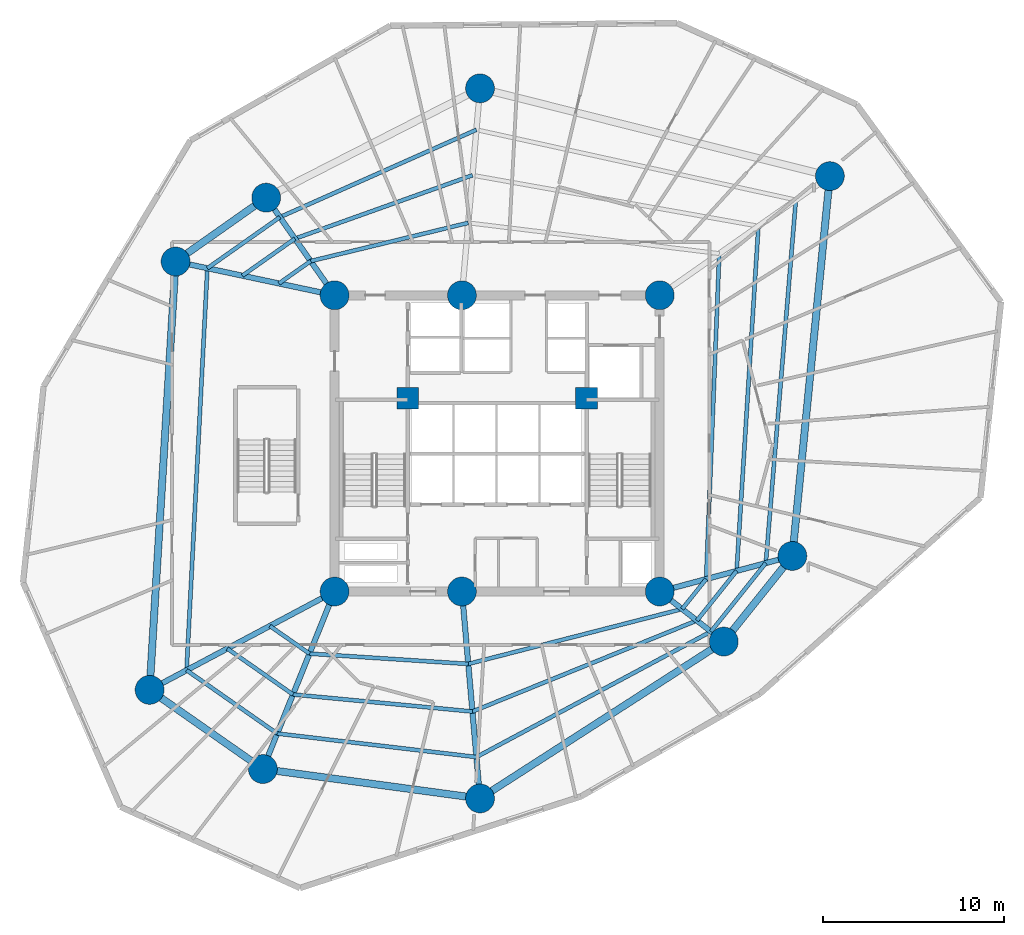
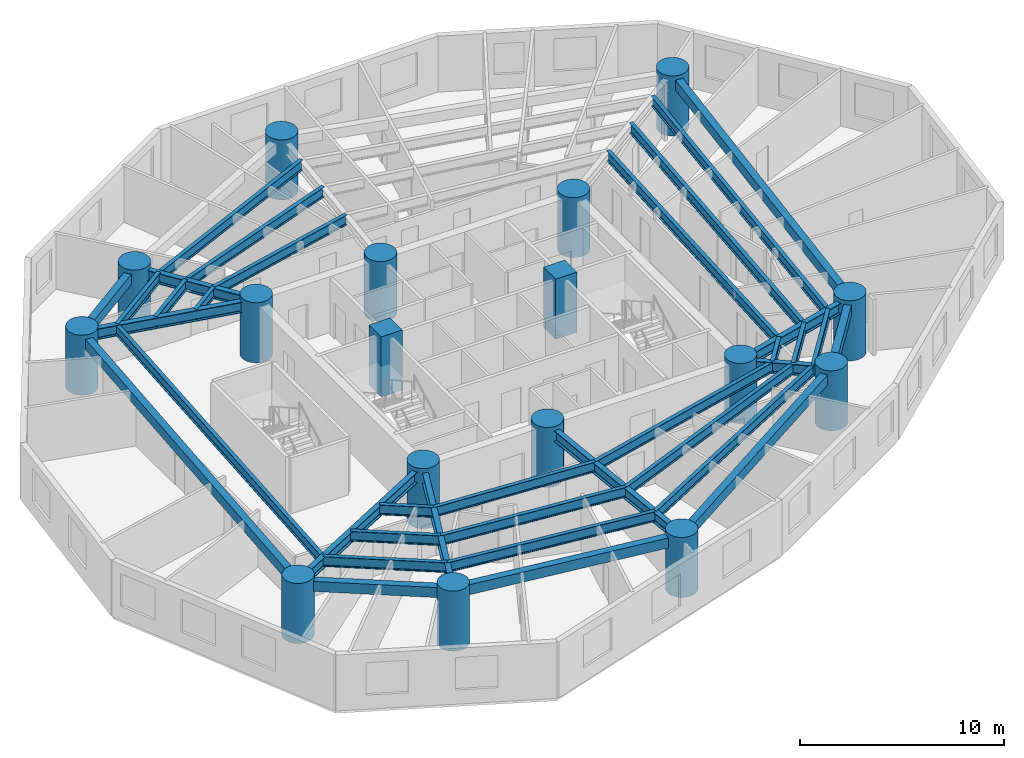
# One storey, part 1 of 8: 36 beams, 17 columns.
"""IFC4 building model written with IfcOpenShell, lengths in metres."""

from ifc_helpers import new_model, si_unit, direction, frame, origin, origin_with_axes, origin_2d, place, context, subcontext, project, spatial, rectangle, circle, i_section, extrude, source, transform, mapped, material, material_profile, profile_set, type_object, element, save


model = new_model("IFC4")

# Units and contexts
model_context = context("Model", 3, precision=1e-05, world=origin(), true_north=direction((0.0, 1.0)))
body_context = subcontext(model_context, "Body", "Model", "MODEL_VIEW")
ifc_project = project(units=[si_unit("LENGTHUNIT", "METRE"), si_unit("AREAUNIT", "SQUARE_METRE"), si_unit("VOLUMEUNIT", "CUBIC_METRE"), si_unit("PLANEANGLEUNIT", "RADIAN"), si_unit("MASSUNIT", "GRAM", prefix="KILO")], contexts=[model_context])

# Site, building, storey
site_placement = place(None, origin())
site = spatial("IfcSite", under=ifc_project, at=site_placement, CompositionType="ELEMENT")
building_placement = place(site_placement, origin())
building = spatial("IfcBuilding", under=site, at=building_placement, Name="Karkom Vertical University and Central Library", CompositionType="ELEMENT")
storey_placement = place(building_placement, frame((0.0, 0.0, 30.10009765625)))
storey = spatial("IfcBuildingStorey", under=building, at=storey_placement, Name="L07", CompositionType="ELEMENT", Elevation=30.10009765625)

# Columns
ifc_material_1 = material(Name="Concrete C50/60", Category="concrete")
ifc_material_profile_1 = material_profile(ifc_material_1, circle(Radius=0.800048828125, at=origin_2d()), Name="CFT-D1600")
ifc_profile_set_1 = profile_set([ifc_material_profile_1], Name="Concrete C50/60")
column_type_1 = type_object("IfcColumnType", Name="STR-COL-C-SC2", PredefinedType="COLUMN", material=ifc_profile_set_1)
shared_shape_1 = source(origin_with_axes(), body_context, "Body", "SweptSolid", [
    extrude(circle(Radius=0.800048828125, at=origin_2d()), origin(), (0.0, 0.0, 1.0), 3.599853515625),
])
for number, where, z_axis, x_axis, name in (
    (1, (19.5, 18.300048828125, 0.0), (0.0, 0.0, 1.0), (1.0, 0.0, 0.0), "Level 07 Spine Mega-Column SC-1"),
    (2, (26.550048828125, 18.300048828125, 0.0), (0.0, 0.0, 1.0), (1.0, 0.0, 0.0), "Level 07 Spine Mega-Column SC-2"),
    (3, (37.5, 18.300048828125, 0.0), (0.0, 0.0, 1.0), (1.0, 0.0, 0.0), "Level 07 Spine Mega-Column SC-3"),
    (4, (19.5, 34.699951171875, 0.0), (0.0, 0.0, 1.0), (1.0, 0.0, 0.0), "Level 07 Spine Mega-Column SC-4"),
    (5, (26.550048828125, 34.699951171875, 0.0), (0.0, 0.0, 1.0), (1.0, 0.0, 0.0), "Level 07 Spine Mega-Column SC-5"),
    (6, (37.5, 34.699951171875, 0.0), (0.0, 0.0, 1.0), (1.0, 0.0, 0.0), "Level 07 Spine Mega-Column SC-6"),
    (7, (44.841064453125, 20.26708984375, 0.0), (0.0, 0.0, 1.0), (1.0, 0.0, 0.0), "Level 07 Perimeter Mega-Column Z1-PC1"),
    (8, (46.919921875, 41.2958984375, 0.0), (0.0, 0.0, 1.0), (1.0, 0.0, 0.0), "Level 07 Perimeter Mega-Column Z1-PC2"),
    (9, (27.552001953125, 46.156005859375, 0.0), (0.0, 0.0, 1.0), (1.0, 0.0, 0.0), "Level 07 Perimeter Mega-Column Z1-PC3"),
    (10, (15.714111328125, 40.10595703125, 0.0), (0.0, 0.0, 1.0), (1.0, 0.0, 0.0), "Level 07 Perimeter Mega-Column Z1-PC4"),
    (11, (10.697021484375, 36.571044921875, 0.0), (0.0, 0.0, 1.0), (1.0, 0.0, 0.0), "Level 07 Perimeter Mega-Column Z1-PC5"),
    (12, (9.258056640625, 12.85400390625, 0.0), (0.0, 0.0, 1.0), (1.0, 0.0, 0.0), "Level 07 Perimeter Mega-Column Z1-PC6"),
    (13, (15.529052734375, 8.471923828125, 0.0), (0.0, 0.0, 1.0), (1.0, 0.0, 0.0), "Level 07 Perimeter Mega-Column Z1-PC7"),
    (14, (27.552001953125, 6.843994140625, 0.0), (0.0, 0.0, 1.0), (1.0, 0.0, 0.0), "Level 07 Perimeter Mega-Column Z1-PC8"),
    (15, (41.0458984375, 15.530029296875, 0.0), (0.0, 0.0, 1.0), (1.0, 0.0, 0.0), "Level 07 Perimeter Mega-Column Z1-PC9"),
):
    element("IfcColumn", number, at=place(storey_placement, frame(where, z_axis=z_axis, x_axis=x_axis)), inside=storey, type_object=column_type_1, Name=name, PredefinedType="COLUMN", context=body_context, shape_type="MappedRepresentation", body=[
        mapped(shared_shape_1, transform((0.0, 0.0, 0.0), scale=1.0)),
    ])
ifc_material_profile_2 = material_profile(ifc_material_1, rectangle(XDim=1.199951171875, YDim=1.199951171875, at=origin_2d()), Name="RC-1200x1200")
ifc_profile_set_2 = profile_set([ifc_material_profile_2], Name="Concrete C50/60")
column_type_2 = type_object("IfcColumnType", Name="STR-COL-C-CC1", PredefinedType="COLUMN", material=ifc_profile_set_2)
shared_shape_2 = source(origin_with_axes(), body_context, "Body", "SweptSolid", [
    extrude(rectangle(XDim=1.199951171875, YDim=1.199951171875, at=origin_2d()), origin(), (0.0, 0.0, 1.0), 3.599853515625),
])
for number, where, z_axis, x_axis, name in (
    (16, (23.550048828125, 29.0, 0.0), (0.0, 0.0, 1.0), (1.0, 0.0, 0.0), "Level 07 Core Node Column CC-1"),
    (17, (33.449951171875, 29.0, 0.0), (0.0, 0.0, 1.0), (1.0, 0.0, 0.0), "Level 07 Core Node Column CC-2"),
):
    element("IfcColumn", number, at=place(storey_placement, frame(where, z_axis=z_axis, x_axis=x_axis)), inside=storey, type_object=column_type_2, Name=name, PredefinedType="COLUMN", context=body_context, shape_type="MappedRepresentation", body=[
        mapped(shared_shape_2, transform((0.0, 0.0, 0.0), scale=1.0)),
    ])

# Beams
ifc_material_2 = material(Name="Steel S355", Category="steel")
ifc_material_profile_3 = material_profile(ifc_material_2, i_section(OverallWidth=0.300048828125, OverallDepth=0.64990234375, WebThickness=0.01611328125, FlangeThickness=0.031005859375, FilletRadius=0.027099609375, at=origin_2d()), Name="HE 650 B")
ifc_profile_set_3 = profile_set([ifc_material_profile_3], Name="Steel S355")
beam_type_1 = type_object("IfcBeamType", Name="STR-BM-SB-HE650", PredefinedType="USERDEFINED", material=ifc_profile_set_3)
shared_shape_3 = source(origin_with_axes(), body_context, "Body", "SweptSolid", [
    extrude(i_section(OverallWidth=0.300048828125, OverallDepth=0.64990234375, WebThickness=0.01611328125, FlangeThickness=0.031005859375, FilletRadius=0.027099609375, at=origin_2d()), origin(), (0.0, 0.0, 1.0), 7.60009765625),
])
beam_1_placement = place(storey_placement, frame((37.5, 18.300048828125, 3.02490234375), z_axis=(0.965925539322, 0.258820116077, 0.0), x_axis=(-0.258820116077, 0.965925539322, 0.0)))
element("IfcBeam", 18, at=beam_1_placement, inside=storey, type_object=beam_type_1, Name="Level 07 Radial Frame Girder 01", ObjectType="GIRDER", PredefinedType="USERDEFINED", context=body_context, shape_type="MappedRepresentation", body=[
    mapped(shared_shape_3, transform((0.0, 0.0, 0.0), scale=1.0)),
])
shared_shape_4 = source(origin_with_axes(), body_context, "Body", "SweptSolid", [
    extrude(i_section(OverallWidth=0.300048828125, OverallDepth=0.64990234375, WebThickness=0.01611328125, FlangeThickness=0.031005859375, FilletRadius=0.027099609375, at=origin_2d()), origin(), (0.0, 0.0, 1.0), 11.499755859375),
])
beam_2_placement = place(storey_placement, frame((26.550048828125, 18.300048828125, 3.02490234375), z_axis=(0.087127973109, -0.99619712723, 0.0), x_axis=(0.99619712723, 0.087127973109, 0.0)))
element("IfcBeam", 19, at=beam_2_placement, inside=storey, type_object=beam_type_1, Name="Level 07 Radial Frame Girder 08", ObjectType="GIRDER", PredefinedType="USERDEFINED", context=body_context, shape_type="MappedRepresentation", body=[
    mapped(shared_shape_4, transform((0.0, 0.0, 0.0), scale=1.0)),
])
shared_shape_5 = source(origin_with_axes(), body_context, "Body", "SweptSolid", [
    extrude(i_section(OverallWidth=0.300048828125, OverallDepth=0.64990234375, WebThickness=0.01611328125, FlangeThickness=0.031005859375, FilletRadius=0.027099609375, at=origin_2d()), origin(), (0.0, 0.0, 1.0), 6.599853515625),
])
beam_3_placement = place(storey_placement, frame((19.5, 34.699951171875, 3.02490234375), z_axis=(-0.573633636671, 0.819111989218, 0.0), x_axis=(-0.819111989218, -0.573633636671, 0.0)))
element("IfcBeam", 20, at=beam_3_placement, inside=storey, type_object=beam_type_1, Name="Level 07 Radial Frame Girder 04", ObjectType="GIRDER", PredefinedType="USERDEFINED", context=body_context, shape_type="MappedRepresentation", body=[
    mapped(shared_shape_5, transform((0.0, 0.0, 0.0), scale=1.0)),
])
shared_shape_6 = source(origin_with_axes(), body_context, "Body", "SweptSolid", [
    extrude(i_section(OverallWidth=0.300048828125, OverallDepth=0.64990234375, WebThickness=0.01611328125, FlangeThickness=0.031005859375, FilletRadius=0.027099609375, at=origin_2d()), origin(), (0.0, 0.0, 1.0), 8.999755859375),
])
beam_4_placement = place(storey_placement, frame((19.5, 34.699951171875, 3.02490234375), z_axis=(-0.978148438993, 0.207907747079, 0.0), x_axis=(-0.207907747079, -0.978148438993, 0.0)))
element("IfcBeam", 21, at=beam_4_placement, inside=storey, type_object=beam_type_1, Name="Level 07 Radial Frame Girder 05", ObjectType="GIRDER", PredefinedType="USERDEFINED", context=body_context, shape_type="MappedRepresentation", body=[
    mapped(shared_shape_6, transform((0.0, 0.0, 0.0), scale=1.0)),
])
shared_shape_7 = source(origin_with_axes(), body_context, "Body", "SweptSolid", [
    extrude(i_section(OverallWidth=0.300048828125, OverallDepth=0.64990234375, WebThickness=0.01611328125, FlangeThickness=0.031005859375, FilletRadius=0.027099609375, at=origin_2d()), origin(), (0.0, 0.0, 1.0), 11.599853515625),
])
beam_5_placement = place(storey_placement, frame((19.5, 18.300048828125, 3.02490234375), z_axis=(-0.882936620635, -0.469492197957, 0.0), x_axis=(0.469492197957, -0.882936620635, 0.0)))
element("IfcBeam", 22, at=beam_5_placement, inside=storey, type_object=beam_type_1, Name="Level 07 Radial Frame Girder 06", ObjectType="GIRDER", PredefinedType="USERDEFINED", context=body_context, shape_type="MappedRepresentation", body=[
    mapped(shared_shape_7, transform((0.0, 0.0, 0.0), scale=1.0)),
])
shared_shape_8 = source(origin_with_axes(), body_context, "Body", "SweptSolid", [
    extrude(i_section(OverallWidth=0.300048828125, OverallDepth=0.64990234375, WebThickness=0.01611328125, FlangeThickness=0.031005859375, FilletRadius=0.027099609375, at=origin_2d()), origin(), (0.0, 0.0, 1.0), 10.60009765625),
])
beam_6_placement = place(storey_placement, frame((19.5, 18.300048828125, 3.02490234375), z_axis=(-0.374616894394, -0.927179692635, 0.0), x_axis=(0.927179692635, -0.374616894394, 0.0)))
element("IfcBeam", 23, at=beam_6_placement, inside=storey, type_object=beam_type_1, Name="Level 07 Radial Frame Girder 07", ObjectType="GIRDER", PredefinedType="USERDEFINED", context=body_context, shape_type="MappedRepresentation", body=[
    mapped(shared_shape_8, transform((0.0, 0.0, 0.0), scale=1.0)),
])
shared_shape_9 = source(origin_with_axes(), body_context, "Body", "SweptSolid", [
    extrude(i_section(OverallWidth=0.300048828125, OverallDepth=0.64990234375, WebThickness=0.01611328125, FlangeThickness=0.031005859375, FilletRadius=0.027099609375, at=origin_2d()), origin(), (0.0, 0.0, 1.0), 4.49951171875),
])
beam_7_placement = place(storey_placement, frame((37.5, 18.300048828125, 3.02490234375), z_axis=(0.788047405801, -0.615614559778, 0.0), x_axis=(0.615614559778, 0.788047405801, 0.0)))
element("IfcBeam", 24, at=beam_7_placement, inside=storey, type_object=beam_type_1, Name="Level 07 Radial Frame Girder 09", ObjectType="GIRDER", PredefinedType="USERDEFINED", context=body_context, shape_type="MappedRepresentation", body=[
    mapped(shared_shape_9, transform((0.0, 0.0, 0.0), scale=1.0)),
])
ifc_material_3 = material(Name="Precast concrete C45/55", Category="concrete")
ifc_material_profile_4 = material_profile(ifc_material_3, rectangle(XDim=0.39990234375, YDim=0.60009765625, at=origin_2d()), Name="SPB-400x600")
ifc_profile_set_4 = profile_set([ifc_material_profile_4], Name="Precast concrete C45/55")
beam_type_2 = type_object("IfcBeamType", Name="STR-BM-SP-1", PredefinedType="SPANDREL", material=ifc_profile_set_4)
shared_shape_10 = source(origin_with_axes(), body_context, "Body", "SweptSolid", [
    extrude(rectangle(XDim=0.39990234375, YDim=0.60009765625, at=origin_2d()), origin(), (0.0, 0.0, 1.0), 21.13134765625),
])
beam_8_placement = place(storey_placement, frame((44.841064453125, 20.26708984375, 3.0498046875), z_axis=(0.0983780471, 0.995149114379, 0.0), x_axis=(-0.995149114379, 0.0983780471, 0.0)))
element("IfcBeam", 25, at=beam_8_placement, inside=storey, type_object=beam_type_2, Name="Level 07 Perimeter Spandrel Beam 01", PredefinedType="SPANDREL", context=body_context, shape_type="MappedRepresentation", body=[
    mapped(shared_shape_10, transform((0.0, 0.0, 0.0), scale=1.0)),
])
shared_shape_11 = source(origin_with_axes(), body_context, "Body", "SweptSolid", [
    extrude(rectangle(XDim=0.39990234375, YDim=0.60009765625, at=origin_2d()), origin(), (0.0, 0.0, 1.0), 6.13720703125),
])
beam_9_placement = place(storey_placement, frame((15.714111328125, 40.10595703125, 3.0498046875), z_axis=(-0.817471365538, -0.575969240955, 0.0), x_axis=(0.575969240955, -0.817471365538, 0.0)))
element("IfcBeam", 26, at=beam_9_placement, inside=storey, type_object=beam_type_2, Name="Level 07 Perimeter Spandrel Beam 04", PredefinedType="SPANDREL", context=body_context, shape_type="MappedRepresentation", body=[
    mapped(shared_shape_11, transform((0.0, 0.0, 0.0), scale=1.0)),
])
shared_shape_12 = source(origin_with_axes(), body_context, "Body", "SweptSolid", [
    extrude(rectangle(XDim=0.39990234375, YDim=0.60009765625, at=origin_2d()), origin(), (0.0, 0.0, 1.0), 23.7607421875),
])
beam_10_placement = place(storey_placement, frame((10.697021484375, 36.571044921875, 3.0498046875), z_axis=(-0.060560827767, -0.998164508556, 0.0), x_axis=(0.998164508556, -0.060560827767, 0.0)))
element("IfcBeam", 27, at=beam_10_placement, inside=storey, type_object=beam_type_2, Name="Level 07 Perimeter Spandrel Beam 05", PredefinedType="SPANDREL", context=body_context, shape_type="MappedRepresentation", body=[
    mapped(shared_shape_12, transform((0.0, 0.0, 0.0), scale=1.0)),
])
shared_shape_13 = source(origin_with_axes(), body_context, "Body", "SweptSolid", [
    extrude(rectangle(XDim=0.39990234375, YDim=0.60009765625, at=origin_2d()), origin(), (0.0, 0.0, 1.0), 7.650390625),
])
beam_11_placement = place(storey_placement, frame((9.258056640625, 12.85400390625, 3.0498046875), z_axis=(0.819699409527, -0.572793922822, 0.0), x_axis=(0.572793922822, 0.819699409527, 0.0)))
element("IfcBeam", 28, at=beam_11_placement, inside=storey, type_object=beam_type_2, Name="Level 07 Perimeter Spandrel Beam 06", PredefinedType="SPANDREL", context=body_context, shape_type="MappedRepresentation", body=[
    mapped(shared_shape_13, transform((0.0, 0.0, 0.0), scale=1.0)),
])
shared_shape_14 = source(origin_with_axes(), body_context, "Body", "SweptSolid", [
    extrude(rectangle(XDim=0.39990234375, YDim=0.60009765625, at=origin_2d()), origin(), (0.0, 0.0, 1.0), 12.132568359375),
])
beam_12_placement = place(storey_placement, frame((15.529052734375, 8.471923828125, 3.0498046875), z_axis=(0.990957319008, -0.134177464223, 0.0), x_axis=(0.134177464223, 0.990957319008, 0.0)))
element("IfcBeam", 29, at=beam_12_placement, inside=storey, type_object=beam_type_2, Name="Level 07 Perimeter Spandrel Beam 07", PredefinedType="SPANDREL", context=body_context, shape_type="MappedRepresentation", body=[
    mapped(shared_shape_14, transform((0.0, 0.0, 0.0), scale=1.0)),
])
shared_shape_15 = source(origin_with_axes(), body_context, "Body", "SweptSolid", [
    extrude(rectangle(XDim=0.39990234375, YDim=0.60009765625, at=origin_2d()), origin(), (0.0, 0.0, 1.0), 16.0478515625),
])
beam_13_placement = place(storey_placement, frame((27.552001953125, 6.843994140625, 3.0498046875), z_axis=(0.84085555045, 0.541259589548, 0.0), x_axis=(-0.541259589548, 0.84085555045, 0.0)))
element("IfcBeam", 30, at=beam_13_placement, inside=storey, type_object=beam_type_2, Name="Level 07 Perimeter Spandrel Beam 08", PredefinedType="SPANDREL", context=body_context, shape_type="MappedRepresentation", body=[
    mapped(shared_shape_15, transform((0.0, 0.0, 0.0), scale=1.0)),
])
shared_shape_16 = source(origin_with_axes(), body_context, "Body", "SweptSolid", [
    extrude(rectangle(XDim=0.39990234375, YDim=0.60009765625, at=origin_2d()), origin(), (0.0, 0.0, 1.0), 6.06982421875),
])
beam_14_placement = place(storey_placement, frame((41.0458984375, 15.530029296875, 3.0498046875), z_axis=(0.625249167344, 0.780425190992, 0.0), x_axis=(-0.780425190992, 0.625249167344, 0.0)))
element("IfcBeam", 31, at=beam_14_placement, inside=storey, type_object=beam_type_2, Name="Level 07 Perimeter Spandrel Beam 09", PredefinedType="SPANDREL", context=body_context, shape_type="MappedRepresentation", body=[
    mapped(shared_shape_16, transform((0.0, 0.0, 0.0), scale=1.0)),
])
ifc_material_profile_5 = material_profile(ifc_material_2, i_section(OverallWidth=0.219970703125, OverallDepth=0.60009765625, WebThickness=0.011962890625, FlangeThickness=0.01904296875, FilletRadius=0.02392578125, at=origin_2d()), Name="IPE 600")
ifc_profile_set_5 = profile_set([ifc_material_profile_5], Name="Steel S355")
beam_type_3 = type_object("IfcBeamType", Name="STR-BM-SB-IPE600", PredefinedType="BEAM", material=ifc_profile_set_5)
shared_shape_17 = source(origin_with_axes(), body_context, "Body", "SweptSolid", [
    extrude(i_section(OverallWidth=0.219970703125, OverallDepth=0.60009765625, WebThickness=0.011962890625, FlangeThickness=0.01904296875, FilletRadius=0.02392578125, at=origin_2d()), origin(), (0.0, 0.0, 1.0), 18.03466796875),
])
beam_15_placement = place(storey_placement, frame((40.0693359375, 18.988525390625, 3.0498046875), z_axis=(0.04035458262, 0.999185422062, 0.0), x_axis=(-0.999185422062, 0.04035458262, 0.0)))
element("IfcBeam", 32, at=beam_15_placement, inside=storey, type_object=beam_type_3, Name="Level 07 Secondary Composite Floor Beam 1.01", PredefinedType="BEAM", context=body_context, shape_type="MappedRepresentation", body=[
    mapped(shared_shape_17, transform((0.0, 0.0, 0.0), scale=1.0)),
])
shared_shape_18 = source(origin_with_axes(), body_context, "Body", "SweptSolid", [
    extrude(i_section(OverallWidth=0.219970703125, OverallDepth=0.60009765625, WebThickness=0.011962890625, FlangeThickness=0.01904296875, FilletRadius=0.02392578125, at=origin_2d()), origin(), (0.0, 0.0, 1.0), 8.97900390625),
])
beam_16_placement = place(storey_placement, frame((26.900634765625, 38.709716796875, 3.0498046875), z_axis=(-0.971790837509, -0.235844372697, 0.0), x_axis=(0.235844372697, -0.971790837509, 0.0)))
element("IfcBeam", 33, at=beam_16_placement, inside=storey, type_object=beam_type_3, Name="Level 07 Secondary Composite Floor Beam 1.03", PredefinedType="BEAM", context=body_context, shape_type="MappedRepresentation", body=[
    mapped(shared_shape_18, transform((0.0, 0.0, 0.0), scale=1.0)),
])
shared_shape_19 = source(origin_with_axes(), body_context, "Body", "SweptSolid", [
    extrude(i_section(OverallWidth=0.219970703125, OverallDepth=0.60009765625, WebThickness=0.011962890625, FlangeThickness=0.01904296875, FilletRadius=0.02392578125, at=origin_2d()), origin(), (0.0, 0.0, 1.0), 2.14794921875),
])
beam_17_placement = place(storey_placement, frame((18.1748046875, 36.592041015625, 3.0498046875), z_axis=(-0.817433780971, -0.576022580918, 0.0), x_axis=(0.576022580918, -0.817433780971, 0.0)))
element("IfcBeam", 34, at=beam_17_placement, inside=storey, type_object=beam_type_3, Name="Level 07 Secondary Composite Floor Beam 1.04", PredefinedType="BEAM", context=body_context, shape_type="MappedRepresentation", body=[
    mapped(shared_shape_19, transform((0.0, 0.0, 0.0), scale=1.0)),
])
shared_shape_20 = source(origin_with_axes(), body_context, "Body", "SweptSolid", [
    extrude(i_section(OverallWidth=0.219970703125, OverallDepth=0.60009765625, WebThickness=0.011962890625, FlangeThickness=0.01904296875, FilletRadius=0.02392578125, at=origin_2d()), origin(), (0.0, 0.0, 1.0), 2.677490234375),
])
beam_18_placement = place(storey_placement, frame((15.915283203125, 16.393798828125, 3.0498046875), z_axis=(0.819702839548, -0.572789014243, 0.0), x_axis=(0.572789014243, 0.819702839548, 0.0)))
element("IfcBeam", 35, at=beam_18_placement, inside=storey, type_object=beam_type_3, Name="Level 07 Secondary Composite Floor Beam 1.06", PredefinedType="BEAM", context=body_context, shape_type="MappedRepresentation", body=[
    mapped(shared_shape_20, transform((0.0, 0.0, 0.0), scale=1.0)),
])
shared_shape_21 = source(origin_with_axes(), body_context, "Body", "SweptSolid", [
    extrude(i_section(OverallWidth=0.219970703125, OverallDepth=0.60009765625, WebThickness=0.011962890625, FlangeThickness=0.01904296875, FilletRadius=0.02392578125, at=origin_2d()), origin(), (0.0, 0.0, 1.0), 8.80908203125),
])
beam_19_placement = place(storey_placement, frame((18.110107421875, 14.860107421875, 3.0498046875), z_axis=(0.997905617906, -0.064686766433, 0.0), x_axis=(0.064686766433, 0.997905617906, 0.0)))
element("IfcBeam", 36, at=beam_19_placement, inside=storey, type_object=beam_type_3, Name="Level 07 Secondary Composite Floor Beam 1.07", PredefinedType="BEAM", context=body_context, shape_type="MappedRepresentation", body=[
    mapped(shared_shape_21, transform((0.0, 0.0, 0.0), scale=1.0)),
])
shared_shape_22 = source(origin_with_axes(), body_context, "Body", "SweptSolid", [
    extrude(i_section(OverallWidth=0.219970703125, OverallDepth=0.60009765625, WebThickness=0.011962890625, FlangeThickness=0.01904296875, FilletRadius=0.02392578125, at=origin_2d()), origin(), (0.0, 0.0, 1.0), 12.224609375),
])
beam_20_placement = place(storey_placement, frame((26.900634765625, 14.290283203125, 3.0498046875), z_axis=(0.968580403264, 0.248700628092, 0.0), x_axis=(-0.248700628092, 0.968580403264, 0.0)))
element("IfcBeam", 37, at=beam_20_placement, inside=storey, type_object=beam_type_3, Name="Level 07 Secondary Composite Floor Beam 1.08", PredefinedType="BEAM", context=body_context, shape_type="MappedRepresentation", body=[
    mapped(shared_shape_22, transform((0.0, 0.0, 0.0), scale=1.0)),
])
shared_shape_23 = source(origin_with_axes(), body_context, "Body", "SweptSolid", [
    extrude(i_section(OverallWidth=0.219970703125, OverallDepth=0.60009765625, WebThickness=0.011962890625, FlangeThickness=0.01904296875, FilletRadius=0.02392578125, at=origin_2d()), origin(), (0.0, 0.0, 1.0), 2.124267578125),
])
beam_21_placement = place(storey_placement, frame((38.7412109375, 17.33056640625, 3.0498046875), z_axis=(0.625199471959, 0.780465002587, 0.0), x_axis=(-0.780465002587, 0.625199471959, 0.0)))
element("IfcBeam", 38, at=beam_21_placement, inside=storey, type_object=beam_type_3, Name="Level 07 Secondary Composite Floor Beam 1.09", PredefinedType="BEAM", context=body_context, shape_type="MappedRepresentation", body=[
    mapped(shared_shape_23, transform((0.0, 0.0, 0.0), scale=1.0)),
])
shared_shape_24 = source(origin_with_axes(), body_context, "Body", "SweptSolid", [
    extrude(i_section(OverallWidth=0.219970703125, OverallDepth=0.60009765625, WebThickness=0.011962890625, FlangeThickness=0.01904296875, FilletRadius=0.02392578125, at=origin_2d()), origin(), (0.0, 0.0, 1.0), 19.122802734375),
])
beam_22_placement = place(storey_placement, frame((41.7578125, 19.44091796875, 3.0498046875), z_axis=(0.063056264597, 0.998009973645, 0.0), x_axis=(-0.998009973645, 0.063056264597, 0.0)))
element("IfcBeam", 39, at=beam_22_placement, inside=storey, type_object=beam_type_3, Name="Level 07 Secondary Composite Floor Beam 2.01", PredefinedType="BEAM", context=body_context, shape_type="MappedRepresentation", body=[
    mapped(shared_shape_24, transform((0.0, 0.0, 0.0), scale=1.0)),
])
shared_shape_25 = source(origin_with_axes(), body_context, "Body", "SweptSolid", [
    extrude(i_section(OverallWidth=0.219970703125, OverallDepth=0.60009765625, WebThickness=0.011962890625, FlangeThickness=0.01904296875, FilletRadius=0.02392578125, at=origin_2d()), origin(), (0.0, 0.0, 1.0), 10.4345703125),
])
beam_23_placement = place(storey_placement, frame((27.131103515625, 41.344482421875, 3.0498046875), z_axis=(-0.941759378798, -0.336287484819, 0.0), x_axis=(0.336287484819, -0.941759378798, 0.0)))
element("IfcBeam", 40, at=beam_23_placement, inside=storey, type_object=beam_type_3, Name="Level 07 Secondary Composite Floor Beam 2.03", PredefinedType="BEAM", context=body_context, shape_type="MappedRepresentation", body=[
    mapped(shared_shape_25, transform((0.0, 0.0, 0.0), scale=1.0)),
])
shared_shape_26 = source(origin_with_axes(), body_context, "Body", "SweptSolid", [
    extrude(i_section(OverallWidth=0.219970703125, OverallDepth=0.60009765625, WebThickness=0.011962890625, FlangeThickness=0.01904296875, FilletRadius=0.02392578125, at=origin_2d()), origin(), (0.0, 0.0, 1.0), 3.5595703125),
])
beam_24_placement = place(storey_placement, frame((17.30419921875, 37.83544921875, 3.0498046875), z_axis=(-0.817465552849, -0.575977490798, 0.0), x_axis=(0.575977490798, -0.817465552849, 0.0)))
element("IfcBeam", 41, at=beam_24_placement, inside=storey, type_object=beam_type_3, Name="Level 07 Secondary Composite Floor Beam 2.04", PredefinedType="BEAM", context=body_context, shape_type="MappedRepresentation", body=[
    mapped(shared_shape_26, transform((0.0, 0.0, 0.0), scale=1.0)),
])
shared_shape_27 = source(origin_with_axes(), body_context, "Body", "SweptSolid", [
    extrude(i_section(OverallWidth=0.219970703125, OverallDepth=0.60009765625, WebThickness=0.011962890625, FlangeThickness=0.01904296875, FilletRadius=0.02392578125, at=origin_2d()), origin(), (0.0, 0.0, 1.0), 4.437255859375),
])
beam_25_placement = place(storey_placement, frame((13.5595703125, 15.141357421875, 3.0498046875), z_axis=(0.819712425733, -0.572775295468, 0.0), x_axis=(0.572775295468, 0.819712425733, 0.0)))
element("IfcBeam", 42, at=beam_25_placement, inside=storey, type_object=beam_type_3, Name="Level 07 Secondary Composite Floor Beam 2.06", PredefinedType="BEAM", context=body_context, shape_type="MappedRepresentation", body=[
    mapped(shared_shape_27, transform((0.0, 0.0, 0.0), scale=1.0)),
])
shared_shape_28 = source(origin_with_axes(), body_context, "Body", "SweptSolid", [
    extrude(i_section(OverallWidth=0.219970703125, OverallDepth=0.60009765625, WebThickness=0.011962890625, FlangeThickness=0.01904296875, FilletRadius=0.02392578125, at=origin_2d()), origin(), (0.0, 0.0, 1.0), 9.97900390625),
])
beam_26_placement = place(storey_placement, frame((17.19677734375, 12.599853515625, 3.0498046875), z_axis=(0.995512389915, -0.094631292526, 0.0), x_axis=(0.094631292526, 0.995512389915, 0.0)))
element("IfcBeam", 43, at=beam_26_placement, inside=storey, type_object=beam_type_3, Name="Level 07 Secondary Composite Floor Beam 2.07", PredefinedType="BEAM", context=body_context, shape_type="MappedRepresentation", body=[
    mapped(shared_shape_28, transform((0.0, 0.0, 0.0), scale=1.0)),
])
shared_shape_29 = source(origin_with_axes(), body_context, "Body", "SweptSolid", [
    extrude(i_section(OverallWidth=0.219970703125, OverallDepth=0.60009765625, WebThickness=0.011962890625, FlangeThickness=0.01904296875, FilletRadius=0.02392578125, at=origin_2d()), origin(), (0.0, 0.0, 1.0), 13.407958984375),
])
beam_27_placement = place(storey_placement, frame((27.131103515625, 11.655517578125, 3.0498046875), z_axis=(0.926727273371, 0.375734694685, 0.0), x_axis=(-0.375734694685, 0.926727273371, 0.0)))
element("IfcBeam", 44, at=beam_27_placement, inside=storey, type_object=beam_type_3, Name="Level 07 Secondary Composite Floor Beam 2.08", PredefinedType="BEAM", context=body_context, shape_type="MappedRepresentation", body=[
    mapped(shared_shape_29, transform((0.0, 0.0, 0.0), scale=1.0)),
])
shared_shape_30 = source(origin_with_axes(), body_context, "Body", "SweptSolid", [
    extrude(i_section(OverallWidth=0.219970703125, OverallDepth=0.60009765625, WebThickness=0.011962890625, FlangeThickness=0.01904296875, FilletRadius=0.02392578125, at=origin_2d()), origin(), (0.0, 0.0, 1.0), 3.5205078125),
])
beam_28_placement = place(storey_placement, frame((39.556640625, 16.693359375, 3.0498046875), z_axis=(0.62523614548, 0.780435623473, 0.0), x_axis=(-0.780435623473, 0.62523614548, 0.0)))
element("IfcBeam", 45, at=beam_28_placement, inside=storey, type_object=beam_type_3, Name="Level 07 Secondary Composite Floor Beam 2.09", PredefinedType="BEAM", context=body_context, shape_type="MappedRepresentation", body=[
    mapped(shared_shape_30, transform((0.0, 0.0, 0.0), scale=1.0)),
])
shared_shape_31 = source(origin_with_axes(), body_context, "Body", "SweptSolid", [
    extrude(i_section(OverallWidth=0.219970703125, OverallDepth=0.60009765625, WebThickness=0.011962890625, FlangeThickness=0.01904296875, FilletRadius=0.02392578125, at=origin_2d()), origin(), (0.0, 0.0, 1.0), 20.171875),
])
beam_29_placement = place(storey_placement, frame((43.372802734375, 19.87353515625, 3.0498046875), z_axis=(0.082445490935, 0.996595575459, 0.0), x_axis=(-0.996595575459, 0.082445490935, 0.0)))
element("IfcBeam", 46, at=beam_29_placement, inside=storey, type_object=beam_type_3, Name="Level 07 Secondary Composite Floor Beam 3.01", PredefinedType="BEAM", context=body_context, shape_type="MappedRepresentation", body=[
    mapped(shared_shape_31, transform((0.0, 0.0, 0.0), scale=1.0)),
])
shared_shape_32 = source(origin_with_axes(), body_context, "Body", "SweptSolid", [
    extrude(i_section(OverallWidth=0.219970703125, OverallDepth=0.60009765625, WebThickness=0.011962890625, FlangeThickness=0.01904296875, FilletRadius=0.02392578125, at=origin_2d()), origin(), (0.0, 0.0, 1.0), 11.908203125),
])
beam_30_placement = place(storey_placement, frame((27.3515625, 43.86474609375, 3.0498046875), z_axis=(-0.913682996781, -0.406427584441, 0.0), x_axis=(0.406427584441, -0.913682996781, 0.0)))
element("IfcBeam", 47, at=beam_30_placement, inside=storey, type_object=beam_type_3, Name="Level 07 Secondary Composite Floor Beam 3.03", PredefinedType="BEAM", context=body_context, shape_type="MappedRepresentation", body=[
    mapped(shared_shape_32, transform((0.0, 0.0, 0.0), scale=1.0)),
])
shared_shape_33 = source(origin_with_axes(), body_context, "Body", "SweptSolid", [
    extrude(i_section(OverallWidth=0.219970703125, OverallDepth=0.60009765625, WebThickness=0.011962890625, FlangeThickness=0.01904296875, FilletRadius=0.02392578125, at=origin_2d()), origin(), (0.0, 0.0, 1.0), 4.909912109375),
])
beam_31_placement = place(storey_placement, frame((16.47119140625, 39.02490234375, 3.0498046875), z_axis=(-0.817452635759, -0.575995823153, 0.0), x_axis=(0.575995823153, -0.817452635759, 0.0)))
element("IfcBeam", 48, at=beam_31_placement, inside=storey, type_object=beam_type_3, Name="Level 07 Secondary Composite Floor Beam 3.04", PredefinedType="BEAM", context=body_context, shape_type="MappedRepresentation", body=[
    mapped(shared_shape_33, transform((0.0, 0.0, 0.0), scale=1.0)),
])
shared_shape_34 = source(origin_with_axes(), body_context, "Body", "SweptSolid", [
    extrude(i_section(OverallWidth=0.219970703125, OverallDepth=0.60009765625, WebThickness=0.011962890625, FlangeThickness=0.01904296875, FilletRadius=0.02392578125, at=origin_2d()), origin(), (0.0, 0.0, 1.0), 22.283447265625),
])
beam_32_placement = place(storey_placement, frame((12.45751953125, 36.19677734375, 3.0498046875), z_axis=(-0.051658288147, -0.998664819279, 0.0), x_axis=(0.998664819279, -0.051658288147, 0.0)))
element("IfcBeam", 49, at=beam_32_placement, inside=storey, type_object=beam_type_3, Name="Level 07 Secondary Composite Floor Beam 3.05", PredefinedType="BEAM", context=body_context, shape_type="MappedRepresentation", body=[
    mapped(shared_shape_34, transform((0.0, 0.0, 0.0), scale=1.0)),
])
shared_shape_35 = source(origin_with_axes(), body_context, "Body", "SweptSolid", [
    extrude(i_section(OverallWidth=0.219970703125, OverallDepth=0.60009765625, WebThickness=0.011962890625, FlangeThickness=0.01904296875, FilletRadius=0.02392578125, at=origin_2d()), origin(), (0.0, 0.0, 1.0), 6.120361328125),
])
beam_33_placement = place(storey_placement, frame((11.306396484375, 13.943115234375, 3.0498046875), z_axis=(0.81970577287, -0.572784816422, 0.0), x_axis=(0.572784816422, 0.81970577287, 0.0)))
element("IfcBeam", 50, at=beam_33_placement, inside=storey, type_object=beam_type_3, Name="Level 07 Secondary Composite Floor Beam 3.06", PredefinedType="BEAM", context=body_context, shape_type="MappedRepresentation", body=[
    mapped(shared_shape_35, transform((0.0, 0.0, 0.0), scale=1.0)),
])
shared_shape_36 = source(origin_with_axes(), body_context, "Body", "SweptSolid", [
    extrude(i_section(OverallWidth=0.219970703125, OverallDepth=0.60009765625, WebThickness=0.011962890625, FlangeThickness=0.01904296875, FilletRadius=0.02392578125, at=origin_2d()), origin(), (0.0, 0.0, 1.0), 11.10498046875),
])
beam_34_placement = place(storey_placement, frame((16.3232421875, 10.4375, 3.0498046875), z_axis=(0.993100390447, -0.117267278018, 0.0), x_axis=(0.117267278018, 0.993100390447, 0.0)))
element("IfcBeam", 51, at=beam_34_placement, inside=storey, type_object=beam_type_3, Name="Level 07 Secondary Composite Floor Beam 3.07", PredefinedType="BEAM", context=body_context, shape_type="MappedRepresentation", body=[
    mapped(shared_shape_36, transform((0.0, 0.0, 0.0), scale=1.0)),
])
shared_shape_37 = source(origin_with_axes(), body_context, "Body", "SweptSolid", [
    extrude(i_section(OverallWidth=0.219970703125, OverallDepth=0.60009765625, WebThickness=0.011962890625, FlangeThickness=0.01904296875, FilletRadius=0.02392578125, at=origin_2d()), origin(), (0.0, 0.0, 1.0), 14.727783203125),
])
beam_35_placement = place(storey_placement, frame((27.3515625, 9.13525390625, 3.0498046875), z_axis=(0.881697726656, 0.471814708131, 0.0), x_axis=(-0.471814708131, 0.881697726656, 0.0)))
element("IfcBeam", 52, at=beam_35_placement, inside=storey, type_object=beam_type_3, Name="Level 07 Secondary Composite Floor Beam 3.08", PredefinedType="BEAM", context=body_context, shape_type="MappedRepresentation", body=[
    mapped(shared_shape_37, transform((0.0, 0.0, 0.0), scale=1.0)),
])
shared_shape_38 = source(origin_with_axes(), body_context, "Body", "SweptSolid", [
    extrude(i_section(OverallWidth=0.219970703125, OverallDepth=0.60009765625, WebThickness=0.011962890625, FlangeThickness=0.01904296875, FilletRadius=0.02392578125, at=origin_2d()), origin(), (0.0, 0.0, 1.0), 4.855712890625),
])
beam_36_placement = place(storey_placement, frame((40.3369140625, 16.083984375, 3.0498046875), z_axis=(0.62522835738, 0.780441862747, 0.0), x_axis=(-0.780441862747, 0.62522835738, 0.0)))
element("IfcBeam", 53, at=beam_36_placement, inside=storey, type_object=beam_type_3, Name="Level 07 Secondary Composite Floor Beam 3.09", PredefinedType="BEAM", context=body_context, shape_type="MappedRepresentation", body=[
    mapped(shared_shape_38, transform((0.0, 0.0, 0.0), scale=1.0)),
])

save(model, "model.ifc")
